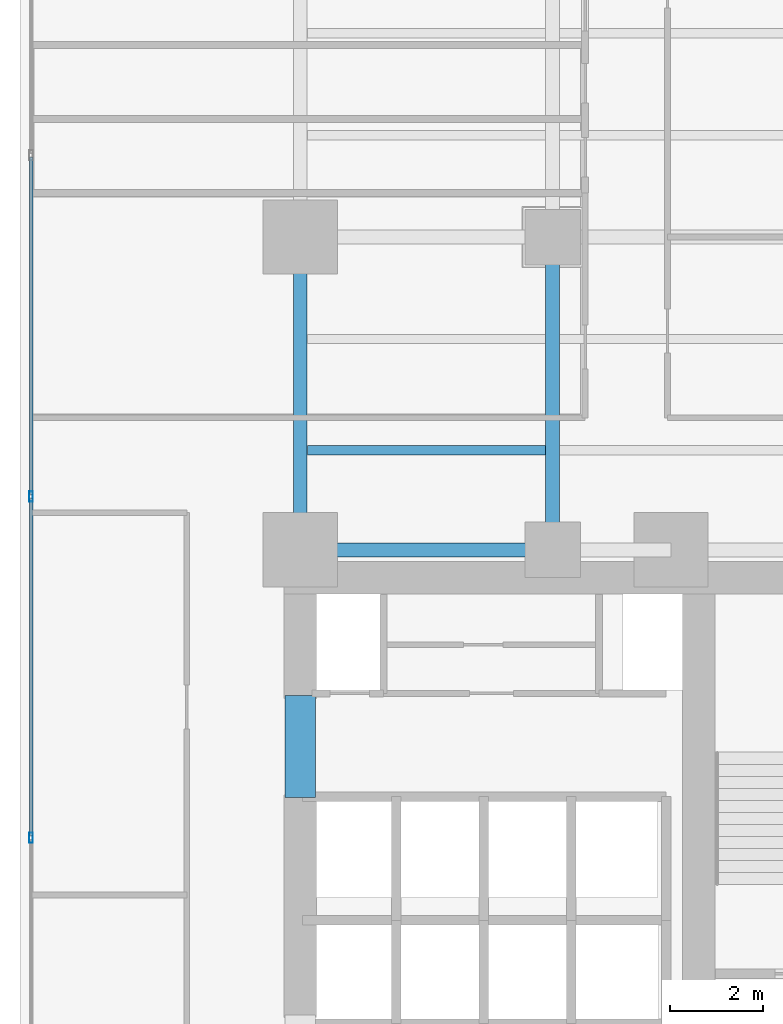
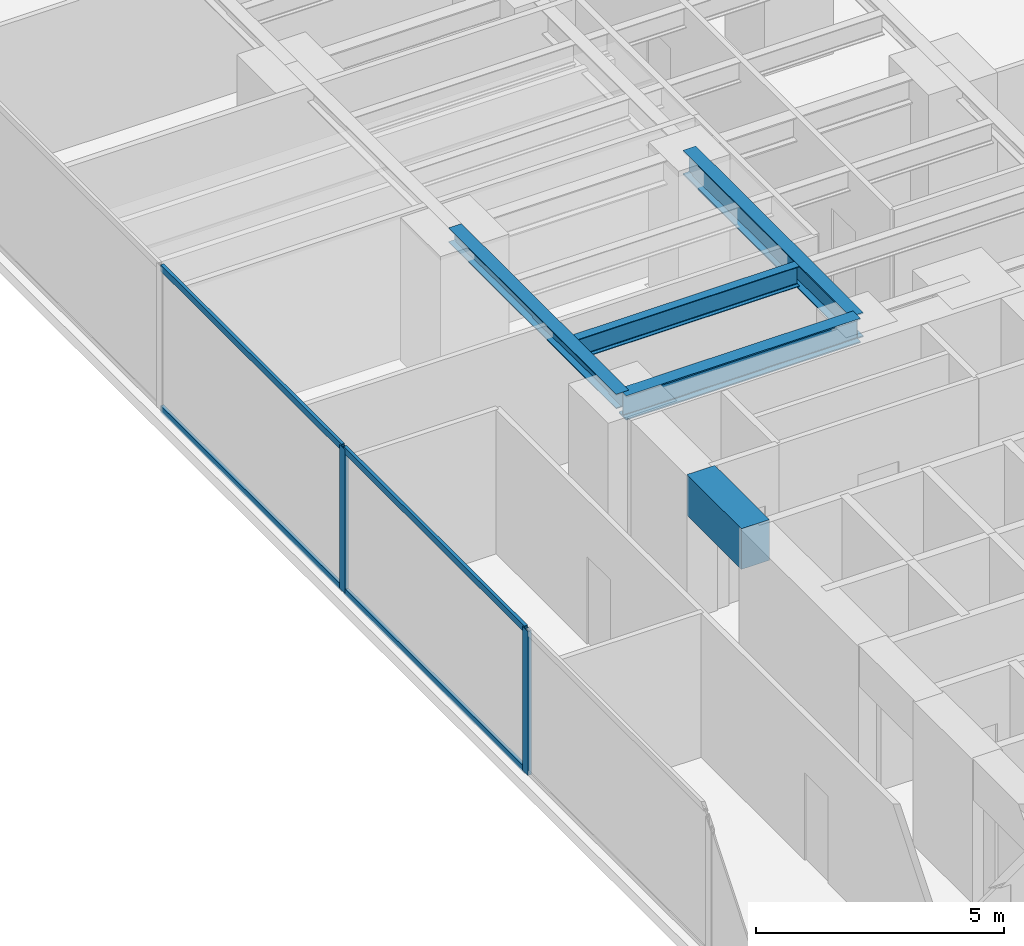
# One storey, part 6 of 30: 6 members, 5 beams, 1 element without a shape of its own.
"""IFC4 building model written with IfcOpenShell, lengths in metres."""

from ifc_helpers import new_model, si_unit, direction, frame, origin, origin_with_axes, origin_2d, place, context, subcontext, project, spatial, rectangle, hollow_rectangle, i_section, extrude, source, transform, mapped, material, layer, layer_set, material_profile, profile_set, type_object, element, aggregate, save


model = new_model("IFC4")

# Units and contexts
model_context = context("Model", 3, precision=1e-05, world=origin(), true_north=direction((0.0, 1.0)))
body_context = subcontext(model_context, "Body", "Model", "MODEL_VIEW")
ifc_project = project(units=[si_unit("LENGTHUNIT", "METRE"), si_unit("AREAUNIT", "SQUARE_METRE"), si_unit("VOLUMEUNIT", "CUBIC_METRE"), si_unit("PLANEANGLEUNIT", "RADIAN"), si_unit("MASSUNIT", "GRAM", prefix="KILO")], contexts=[model_context])

# Site, building, storey
site_placement = place(None, origin())
site = spatial("IfcSite", under=ifc_project, at=site_placement, CompositionType="ELEMENT")
building_placement = place(site_placement, origin())
building = spatial("IfcBuilding", under=site, at=building_placement, Name="Kolvaren Waterfront Exchange", CompositionType="ELEMENT")
storey_placement = place(building_placement, frame((0.0, 0.0, 52.39990234375)))
storey = spatial("IfcBuildingStorey", under=building, at=storey_placement, Name="L13", CompositionType="ELEMENT", Elevation=52.39990234375)

# Beams
ifc_material_1 = material(Name="Steel S355", Category="steel")
ifc_material_profile_1 = material_profile(ifc_material_1, i_section(OverallWidth=0.300048828125, OverallDepth=0.360107421875, WebThickness=0.012451171875, FlangeThickness=0.0224609375, FilletRadius=0.027099609375, at=origin_2d()), Name="HEB360")
ifc_profile_set_1 = profile_set([ifc_material_profile_1], Name="Steel S355")
beam_type_1 = type_object("IfcBeamType", Name="STR-BM-HEB360", PredefinedType="SPANDREL", material=ifc_profile_set_1)
beam_1_placement = place(storey_placement, frame((7.449951171875, 24.449951171875, 3.360107421875), z_axis=(0.0, 1.0, 0.0), x_axis=(-1.0, 0.0, 0.0)))
element("IfcBeam", 1, at=beam_1_placement, inside=storey, type_object=beam_type_1, Name="L13 north-arm edge beam 1", PredefinedType="SPANDREL", context=body_context, shape_type="SweptSolid", body=[
    extrude(i_section(OverallWidth=0.300048828125, OverallDepth=0.360107421875, WebThickness=0.012451171875, FlangeThickness=0.0224609375, FilletRadius=0.027099609375, at=origin_2d()), origin(), (0.0, 0.0, 1.0), 6.75),
])
ifc_material_profile_2 = material_profile(ifc_material_1, i_section(OverallWidth=0.300048828125, OverallDepth=0.60009765625, WebThickness=0.015380859375, FlangeThickness=0.030029296875, FilletRadius=0.027099609375, at=origin_2d()), Name="HEB600")
ifc_profile_set_2 = profile_set([ifc_material_profile_2], Name="Steel S355")
beam_type_2 = type_object("IfcBeamType", Name="STR-BM-HEB600", PredefinedType="BEAM", material=ifc_profile_set_2)
beam_2_placement = place(storey_placement, frame((7.449951171875, 24.449951171875, 3.239990234375), z_axis=(1.0, 0.0, 0.0), x_axis=(0.0, 1.0, 0.0)))
element("IfcBeam", 2, at=beam_2_placement, inside=storey, type_object=beam_type_2, Name="L13 north-arm girder 1A", PredefinedType="BEAM", context=body_context, shape_type="SweptSolid", body=[
    extrude(i_section(OverallWidth=0.300048828125, OverallDepth=0.60009765625, WebThickness=0.015380859375, FlangeThickness=0.030029296875, FilletRadius=0.027099609375, at=origin_2d()), origin(), (0.0, 0.0, 1.0), 5.449951171875),
])
beam_3_placement = place(storey_placement, frame((12.89990234375, 24.449951171875, 3.239990234375), z_axis=(0.0, 1.0, 0.0), x_axis=(-1.0, 0.0, 0.0)))
element("IfcBeam", 3, at=beam_3_placement, inside=storey, type_object=beam_type_2, Name="L13 north-arm edge beam 1", PredefinedType="BEAM", context=body_context, shape_type="SweptSolid", body=[
    extrude(i_section(OverallWidth=0.300048828125, OverallDepth=0.60009765625, WebThickness=0.015380859375, FlangeThickness=0.030029296875, FilletRadius=0.027099609375, at=origin_2d()), origin(), (0.0, 0.0, 1.0), 6.75),
])
ifc_material_profile_3 = material_profile(ifc_material_1, i_section(OverallWidth=0.199951171875, OverallDepth=0.5, WebThickness=0.01025390625, FlangeThickness=0.01611328125, FilletRadius=0.02099609375, at=origin_2d()), Name="IPE500")
ifc_profile_set_3 = profile_set([ifc_material_profile_3], Name="Steel S355")
beam_type_3 = type_object("IfcBeamType", Name="STR-BM-IPE500", PredefinedType="JOIST", material=ifc_profile_set_3)
beam_4_placement = place(storey_placement, frame((7.60205078125, 26.60009765625, 3.2900390625), z_axis=(1.0, 0.0, 0.0), x_axis=(0.0, 1.0, 0.0)))
element("IfcBeam", 4, at=beam_4_placement, inside=storey, type_object=beam_type_3, Name="L13 north-arm composite joist 1A", PredefinedType="JOIST", context=body_context, shape_type="SweptSolid", body=[
    extrude(i_section(OverallWidth=0.199951171875, OverallDepth=0.5, WebThickness=0.01025390625, FlangeThickness=0.01611328125, FilletRadius=0.02099609375, at=origin_2d()), origin(), (0.0, 0.0, 1.0), 5.14599609375),
])
ifc_material_2 = material(Name="Concrete C60/75", Category="concrete")
ifc_material_profile_4 = material_profile(ifc_material_2, rectangle(XDim=0.64990234375, YDim=1.0, at=origin_2d()), Name="RC-CB-1000x650")
ifc_profile_set_4 = profile_set([ifc_material_profile_4], Name="Concrete C60/75")
beam_type_4 = type_object("IfcBeamType", Name="STR-CB-1000", PredefinedType="SPANDREL", material=ifc_profile_set_4)
beam_5_placement = place(storey_placement, frame((7.449951171875, 19.10009765625, 3.0400390625), z_axis=(0.0, 1.0, 0.0), x_axis=(-1.0, 0.0, 0.0)))
element("IfcBeam", 5, at=beam_5_placement, inside=storey, type_object=beam_type_4, Name="L13 core coupling beam 5", PredefinedType="SPANDREL", context=body_context, shape_type="SweptSolid", body=[
    extrude(rectangle(XDim=0.64990234375, YDim=1.0, at=origin_2d()), origin(), (0.0, 0.0, 1.0), 2.199951171875),
])

# Curtain wall, members
ifc_material_3 = material(Name="Anodised aluminium 6063-T6", Category="aluminium")
ifc_layer = layer(ifc_material_3, 0.219970703125, Name="Anodised aluminium 6063-T6")
ifc_layer_set = layer_set([ifc_layer], Name="Anodised aluminium 6063-T6")
curtain_wall_type = type_object("IfcCurtainWallType", Name="ARC-CW-SYS2", PredefinedType="USERDEFINED", material=ifc_layer_set)
curtain_wall_placement = place(storey_placement, origin())
curtain_wall = element("IfcCurtainWall", 6, at=curtain_wall_placement, inside=storey, type_object=curtain_wall_type, Name="L13 stick curtain wall CW2 (CW-L13-W)", ObjectType="STICK CURTAIN WALL", PredefinedType="USERDEFINED")
ifc_material_profile_5 = material_profile(ifc_material_3, hollow_rectangle(XDim=0.074951171875, YDim=0.159912109375, WallThickness=0.00439453125, at=origin_2d()), Name="ALU-TRN-160x75x4.5")
ifc_profile_set_5 = profile_set([ifc_material_profile_5], Name="Anodised aluminium 6063-T6")
member_type_1 = type_object("IfcMemberType", Name="ARC-CWT-160", PredefinedType="USERDEFINED", material=ifc_profile_set_5)
shared_shape_1 = source(origin_with_axes(), body_context, "Body", "SweptSolid", [
    extrude(hollow_rectangle(XDim=0.074951171875, YDim=0.159912109375, WallThickness=0.00439453125, at=origin_2d()), origin(), (0.0, 0.0, 1.0), 7.28662109375),
])
member_1_placement = place(storey_placement, frame((1.639892578125, 18.2734375, 0.03759765625), z_axis=(0.0, 1.0, 0.0), x_axis=(-1.0, 0.0, 0.0)))
member_1 = element("IfcMember", 7, at=member_1_placement, type_object=member_type_1, Name="CW2 transom 3.1", ObjectType="TRANSOM", PredefinedType="USERDEFINED", context=body_context, shape_type="MappedRepresentation", body=[
    mapped(shared_shape_1, transform((0.0, 0.0, 0.0), x_axis=(1.0, 0.0, 0.0), y_axis=(0.0, 1.0, 0.0), z_axis=(0.0, 0.0, 1.0), scale=1.0)),
])
member_2_placement = place(storey_placement, frame((1.639892578125, 18.2734375, 3.502685546875), z_axis=(0.0, 1.0, 0.0), x_axis=(-1.0, 0.0, 0.0)))
member_2 = element("IfcMember", 8, at=member_2_placement, type_object=member_type_1, Name="CW2 transom 3.2", ObjectType="TRANSOM", PredefinedType="USERDEFINED", context=body_context, shape_type="MappedRepresentation", body=[
    mapped(shared_shape_1, transform((0.0, 0.0, 0.0), x_axis=(1.0, 0.0, 0.0), y_axis=(0.0, 1.0, 0.0), z_axis=(0.0, 0.0, 1.0), scale=1.0)),
])
shared_shape_2 = source(origin_with_axes(), body_context, "Body", "SweptSolid", [
    extrude(hollow_rectangle(XDim=0.074951171875, YDim=0.159912109375, WallThickness=0.00439453125, at=origin_2d()), origin(), (0.0, 0.0, 1.0), 7.286865234375),
])
member_3_placement = place(storey_placement, frame((1.639892578125, 25.639892578125, 0.03759765625), z_axis=(0.0, 1.0, 0.0), x_axis=(-1.0, 0.0, 0.0)))
member_3 = element("IfcMember", 9, at=member_3_placement, type_object=member_type_1, Name="CW2 transom 4.1", ObjectType="TRANSOM", PredefinedType="USERDEFINED", context=body_context, shape_type="MappedRepresentation", body=[
    mapped(shared_shape_2, transform((0.0, 0.0, 0.0), x_axis=(1.0, 0.0, 0.0), y_axis=(0.0, 1.0, 0.0), z_axis=(0.0, 0.0, 1.0), scale=1.0)),
])
member_4_placement = place(storey_placement, frame((1.639892578125, 25.639892578125, 3.502685546875), z_axis=(0.0, 1.0, 0.0), x_axis=(-1.0, 0.0, 0.0)))
member_4 = element("IfcMember", 10, at=member_4_placement, type_object=member_type_1, Name="CW2 transom 4.2", ObjectType="TRANSOM", PredefinedType="USERDEFINED", context=body_context, shape_type="MappedRepresentation", body=[
    mapped(shared_shape_2, transform((0.0, 0.0, 0.0), x_axis=(1.0, 0.0, 0.0), y_axis=(0.0, 1.0, 0.0), z_axis=(0.0, 0.0, 1.0), scale=1.0)),
])
ifc_material_profile_6 = material_profile(ifc_material_3, hollow_rectangle(XDim=0.080078125, YDim=0.219970703125, WallThickness=0.0048828125, at=origin_2d()), Name="ALU-MUL-220x80x5")
ifc_profile_set_6 = profile_set([ifc_material_profile_6], Name="Anodised aluminium 6063-T6")
member_type_2 = type_object("IfcMemberType", Name="ARC-CWM-220", PredefinedType="MULLION", material=ifc_profile_set_6)
shared_shape_3 = source(origin_with_axes(), body_context, "Body", "SweptSolid", [
    extrude(hollow_rectangle(XDim=0.080078125, YDim=0.219970703125, WallThickness=0.0048828125, at=origin_2d()), origin(), (0.0, 0.0, 1.0), 3.5400390625),
])
member_5_placement = place(storey_placement, frame((1.639892578125, 18.2333984375, 0.0), z_axis=(0.0, 0.0, 1.0), x_axis=(-1.0, 0.0, 0.0)))
member_5 = element("IfcMember", 11, at=member_5_placement, type_object=member_type_2, Name="CW2 mullion 3", PredefinedType="MULLION", context=body_context, shape_type="MappedRepresentation", body=[
    mapped(shared_shape_3, transform((0.0, 0.0, 0.0), x_axis=(1.0, 0.0, 0.0), y_axis=(0.0, 1.0, 0.0), z_axis=(0.0, 0.0, 1.0), scale=1.0)),
])
member_6_placement = place(storey_placement, frame((1.639892578125, 25.60009765625, 0.0), z_axis=(0.0, 0.0, 1.0), x_axis=(-1.0, 0.0, 0.0)))
member_6 = element("IfcMember", 12, at=member_6_placement, type_object=member_type_2, Name="CW2 mullion 4", PredefinedType="MULLION", context=body_context, shape_type="MappedRepresentation", body=[
    mapped(shared_shape_3, transform((0.0, 0.0, 0.0), x_axis=(1.0, 0.0, 0.0), y_axis=(0.0, 1.0, 0.0), z_axis=(0.0, 0.0, 1.0), scale=1.0)),
])
aggregate(curtain_wall, [member_5, member_6, member_1, member_2, member_3, member_4])

save(model, "model.ifc")
